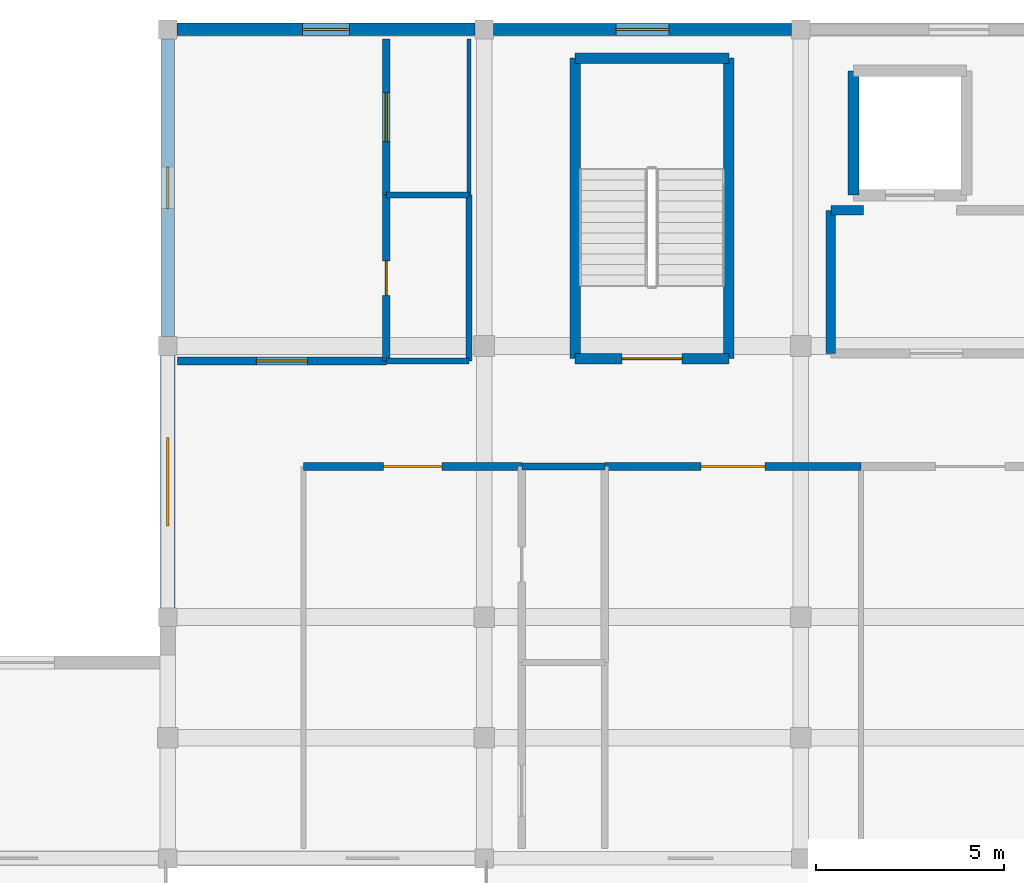
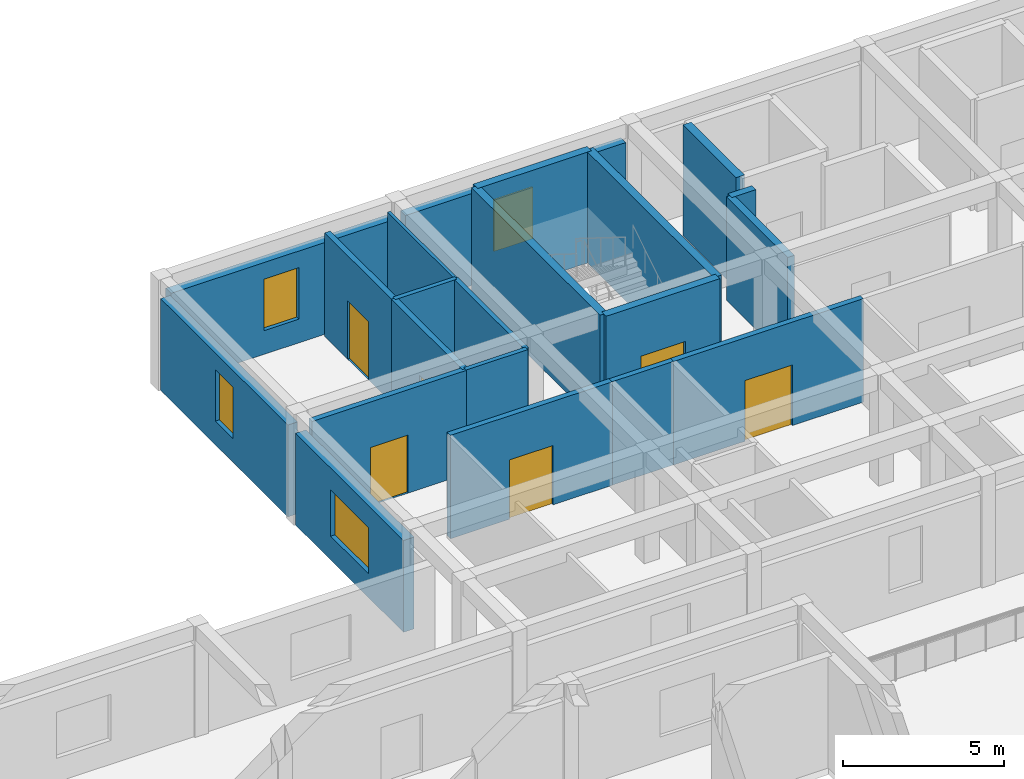
# One storey, part 14 of 28: 21 walls, 6 doors, 4 windows, 10 openings.
"""IFC4 building model written with IfcOpenShell, lengths in metres."""

from ifc_helpers import new_model, si_unit, direction, frame, frame_2d, origin, place, context, subcontext, project, spatial, rectangle, extrude, material, layer, layer_set, type_object, element, fill, save


model = new_model("IFC4")

# Units and contexts
model_context = context("Model", 3, precision=1e-05, world=origin(), true_north=direction((0.0, 1.0)))
body_context = subcontext(model_context, "Body", "Model", "MODEL_VIEW")
ifc_project = project(units=[si_unit("LENGTHUNIT", "METRE"), si_unit("AREAUNIT", "SQUARE_METRE"), si_unit("VOLUMEUNIT", "CUBIC_METRE"), si_unit("PLANEANGLEUNIT", "RADIAN"), si_unit("MASSUNIT", "GRAM", prefix="KILO")], contexts=[model_context])

# Site, building, storey
site_placement = place(None, origin())
site = spatial("IfcSite", under=ifc_project, at=site_placement, CompositionType="ELEMENT")
building_placement = place(site_placement, origin())
building = spatial("IfcBuilding", under=site, at=building_placement, Name="Varncliffe General Hospital", CompositionType="ELEMENT")
storey_placement = place(building_placement, frame((0.0, 0.0, 24.60009765625)))
storey = spatial("IfcBuildingStorey", under=building, at=storey_placement, Name="L05", CompositionType="ELEMENT", Elevation=24.60009765625)

# Wall, opening, window
ifc_material_1 = material(Name="Precast concrete C40/50 with insulated cream lime-cement stucco", Category="concrete")
ifc_layer_1 = layer(ifc_material_1, 0.31005859375)
ifc_layer_set_1 = layer_set([ifc_layer_1], Name="Precast concrete C40/50 with insulated cream lime-cement stucco")
wall_type_1 = type_object("IfcWallType", Name="Exterior Insulated Stucco Wall EW20 (310mm)", PredefinedType="SOLIDWALL", material=ifc_layer_set_1)
wall_1_placement = place(storey_placement, frame((117.847900390625, 124.800048828125, 0.0), z_axis=(0.0, 0.0, 1.0), x_axis=(1.0, 0.0, 0.0)))
wall_1 = element("IfcWall", 1, at=wall_1_placement, inside=storey, type_object=wall_type_1, Name="L05 Exterior Stucco Wall EW20-440", PredefinedType="SOLIDWALL", context=body_context, shape_type="SweptSolid", body=[
    extrude(rectangle(XDim=7.904052734375, YDim=0.31005859375, at=frame_2d((3.9521484375, 0.0))), origin(), (0.0, 0.0, 1.0), 3.47998046875),
])
opening_1_placement = place(wall_1_placement, frame((3.251953125, 0.0, 0.89990234375)))
opening_1 = element("IfcOpeningElement", 2, at=opening_1_placement, cuts=wall_1, Name="Opening WN22", PredefinedType="OPENING", context=body_context, shape_type="SweptSolid", body=[
    extrude(rectangle(XDim=1.39990234375, YDim=1.949951171875, at=frame_2d((0.699951171875, 0.97509765625))), frame((0.0, 0.1650390625, 0.0), z_axis=(0.0, -1.0, 0.0), x_axis=(1.0, 0.0, 0.0)), (0.0, 0.0, 1.0), 0.330078125),
])
ifc_material_2 = material(Name="Triple low-E argon insulated vision glazing", Category="glass")
window_type_1 = type_object("IfcWindowType", Name="Triple-Glazed Hospital Window WN22 (1400x1950)", PartitioningType="SINGLE_PANEL", PredefinedType="WINDOW", material=ifc_material_2)
window_1_placement = place(opening_1_placement, origin())
window_1 = element("IfcWindow", 3, at=window_1_placement, inside=storey, type_object=window_type_1, Name="L05 Hospital Window WN22-334", OverallHeight=1.949951171875, OverallWidth=1.39990234375, PartitioningType="SINGLE_PANEL", PredefinedType="WINDOW", context=body_context, shape_type="SweptSolid", body=[
    extrude(rectangle(XDim=1.39990234375, YDim=1.949951171875, at=frame_2d((0.699951171875, 0.97509765625))), frame((0.0, 0.030029296875, 0.0), z_axis=(0.0, -1.0, 0.0), x_axis=(1.0, 0.0, 0.0)), (0.0, 0.0, 1.0), 0.06005859375),
])
fill(opening_1, window_1)

ifc_layer_2 = layer(ifc_material_1, 0.3798828125)
ifc_layer_set_2 = layer_set([ifc_layer_2], Name="Precast concrete C40/50 with insulated cream lime-cement stucco")
wall_type_2 = type_object("IfcWallType", Name="Exterior Insulated Stucco Wall EW26 (380mm)", PredefinedType="SOLIDWALL", material=ifc_layer_set_2)
wall_2_placement = place(storey_placement, frame((109.199951171875, 109.447998046875, 0.0), z_axis=(0.0, 0.0, 1.0), x_axis=(0.0, 1.0, 0.0)))
wall_2 = element("IfcWall", 4, at=wall_2_placement, inside=storey, type_object=wall_type_2, Name="L05 Exterior Stucco Wall EW26-437", PredefinedType="SOLIDWALL", context=body_context, shape_type="SweptSolid", body=[
    extrude(rectangle(XDim=6.7041015625, YDim=0.3798828125, at=frame_2d((3.35205078125, 0.0))), origin(), (0.0, 0.0, 1.0), 3.47998046875),
])
opening_2_placement = place(wall_2_placement, frame((2.177001953125, 0.0, 0.89990234375)))
opening_2 = element("IfcOpeningElement", 5, at=opening_2_placement, cuts=wall_2, Name="Opening WN31", PredefinedType="OPENING", context=body_context, shape_type="SweptSolid", body=[
    extrude(rectangle(XDim=2.35009765625, YDim=1.75, at=frame_2d((1.175048828125, 0.875))), frame((0.0, 0.199951171875, 0.0), z_axis=(0.0, -1.0, 0.0), x_axis=(1.0, 0.0, 0.0)), (0.0, 0.0, 1.0), 0.39990234375),
])
window_type_2 = type_object("IfcWindowType", Name="Triple-Glazed Hospital Window WN31 (2350x1750)", PartitioningType="DOUBLE_PANEL_VERTICAL", PredefinedType="WINDOW", material=ifc_material_2)
window_2_placement = place(opening_2_placement, origin())
window_2 = element("IfcWindow", 6, at=window_2_placement, inside=storey, type_object=window_type_2, Name="L05 Hospital Window WN31-331", OverallHeight=1.75, OverallWidth=2.35009765625, PartitioningType="DOUBLE_PANEL_VERTICAL", PredefinedType="WINDOW", context=body_context, shape_type="SweptSolid", body=[
    extrude(rectangle(XDim=2.35009765625, YDim=1.75, at=frame_2d((1.175048828125, 0.875))), frame((0.0, 0.030029296875, 0.0), z_axis=(0.0, -1.0, 0.0), x_axis=(1.0, 0.0, 0.0)), (0.0, 0.0, 1.0), 0.06005859375),
])
fill(opening_2, window_2)

ifc_layer_3 = layer(ifc_material_1, 0.330078125)
ifc_layer_set_3 = layer_set([ifc_layer_3], Name="Precast concrete C40/50 with insulated cream lime-cement stucco")
wall_type_3 = type_object("IfcWallType", Name="Exterior Insulated Stucco Wall EW33 (330mm)", PredefinedType="SOLIDWALL", material=ifc_layer_set_3)
wall_3_placement = place(storey_placement, frame((109.447998046875, 124.800048828125, 0.0), z_axis=(0.0, 0.0, 1.0), x_axis=(1.0, 0.0, 0.0)))
wall_3 = element("IfcWall", 7, at=wall_3_placement, inside=storey, type_object=wall_type_3, Name="L05 Exterior Stucco Wall EW33-439", PredefinedType="SOLIDWALL", context=body_context, shape_type="SweptSolid", body=[
    extrude(rectangle(XDim=7.904052734375, YDim=0.330078125, at=frame_2d((3.9521484375, 0.0))), origin(), (0.0, 0.0, 1.0), 3.47998046875),
])
opening_3_placement = place(wall_3_placement, frame((3.326904296875, 0.0, 0.89990234375)))
opening_3 = element("IfcOpeningElement", 8, at=opening_3_placement, cuts=wall_3, Name="Opening WN49", PredefinedType="OPENING", context=body_context, shape_type="SweptSolid", body=[
    extrude(rectangle(XDim=1.25, YDim=1.949951171875, at=frame_2d((0.625, 0.97509765625))), frame((0.0, 0.175048828125, 0.0), z_axis=(0.0, -1.0, 0.0), x_axis=(1.0, 0.0, 0.0)), (0.0, 0.0, 1.0), 0.35009765625),
])
window_type_3 = type_object("IfcWindowType", Name="Triple-Glazed Hospital Window WN49 (1250x1950)", PartitioningType="SINGLE_PANEL", PredefinedType="WINDOW", material=ifc_material_2)
window_3_placement = place(opening_3_placement, origin())
window_3 = element("IfcWindow", 9, at=window_3_placement, inside=storey, type_object=window_type_3, Name="L05 Hospital Window WN49-333", OverallHeight=1.949951171875, OverallWidth=1.25, PartitioningType="SINGLE_PANEL", PredefinedType="WINDOW", context=body_context, shape_type="SweptSolid", body=[
    extrude(rectangle(XDim=1.25, YDim=1.949951171875, at=frame_2d((0.625, 0.97509765625))), frame((0.0, 0.030029296875, 0.0), z_axis=(0.0, -1.0, 0.0), x_axis=(1.0, 0.0, 0.0)), (0.0, 0.0, 1.0), 0.06005859375),
])
fill(opening_3, window_3)

ifc_layer_4 = layer(ifc_material_1, 0.35009765625)
ifc_layer_set_4 = layer_set([ifc_layer_4], Name="Precast concrete C40/50 with insulated cream lime-cement stucco")
wall_type_4 = type_object("IfcWallType", Name="Exterior Insulated Stucco Wall EW37 (350mm)", PredefinedType="SOLIDWALL", material=ifc_layer_set_4)
wall_4_placement = place(storey_placement, frame((109.199951171875, 116.64794921875, 0.0), z_axis=(0.0, 0.0, 1.0), x_axis=(0.0, 1.0, 0.0)))
wall_4 = element("IfcWall", 10, at=wall_4_placement, inside=storey, type_object=wall_type_4, Name="L05 Exterior Stucco Wall EW37-438", PredefinedType="SOLIDWALL", context=body_context, shape_type="SweptSolid", body=[
    extrude(rectangle(XDim=7.904052734375, YDim=0.35009765625, at=frame_2d((3.9521484375, 0.0))), origin(), (0.0, 0.0, 1.0), 3.47998046875),
])
opening_4_placement = place(wall_4_placement, frame((3.402099609375, 0.0, 0.89990234375)))
opening_4 = element("IfcOpeningElement", 11, at=opening_4_placement, cuts=wall_4, Name="Opening WN41", PredefinedType="OPENING", context=body_context, shape_type="SweptSolid", body=[
    extrude(rectangle(XDim=1.10009765625, YDim=1.949951171875, at=frame_2d((0.550048828125, 0.97509765625))), frame((0.0, 0.18505859375, 0.0), z_axis=(0.0, -1.0, 0.0), x_axis=(1.0, 0.0, 0.0)), (0.0, 0.0, 1.0), 0.3701171875),
])
window_type_4 = type_object("IfcWindowType", Name="Triple-Glazed Hospital Window WN41 (1100x1950)", PartitioningType="SINGLE_PANEL", PredefinedType="WINDOW", material=ifc_material_2)
window_4_placement = place(opening_4_placement, origin())
window_4 = element("IfcWindow", 12, at=window_4_placement, inside=storey, type_object=window_type_4, Name="L05 Hospital Window WN41-332", OverallHeight=1.949951171875, OverallWidth=1.10009765625, PartitioningType="SINGLE_PANEL", PredefinedType="WINDOW", context=body_context, shape_type="SweptSolid", body=[
    extrude(rectangle(XDim=1.10009765625, YDim=1.949951171875, at=frame_2d((0.550048828125, 0.97509765625))), frame((0.0, 0.030029296875, 0.0), z_axis=(0.0, -1.0, 0.0), x_axis=(1.0, 0.0, 0.0)), (0.0, 0.0, 1.0), 0.06005859375),
])
fill(opening_4, window_4)

# Walls
ifc_material_3 = material(Name="Acoustic clinical gypsum stud partition assembly", Category="gypsum")
ifc_layer_5 = layer(ifc_material_3, 0.110107421875)
ifc_layer_set_5 = layer_set([ifc_layer_5], Name="Acoustic clinical gypsum stud partition assembly")
wall_type_5 = type_object("IfcWallType", Name="Interior Partitioning IW65 (110mm)", PredefinedType="PARTITIONING", material=ifc_layer_set_5)
wall_5_placement = place(storey_placement, frame((117.199951171875, 120.39990234375, 0.0), z_axis=(0.0, 0.0, 1.0), x_axis=(0.0, 1.0, 0.0)))
element("IfcWall", 13, at=wall_5_placement, inside=storey, type_object=wall_type_5, Name="L05 Interior Partition Wall IW65-2142", PredefinedType="PARTITIONING", context=body_context, shape_type="SweptSolid", body=[
    extrude(rectangle(XDim=4.14013671875, YDim=0.110107421875, at=frame_2d((2.070068359375, 0.0))), origin(), (0.0, 0.0, 1.0), 3.919921875),
])
ifc_material_4 = material(Name="Fire-rated gypsum and mineral-wool partition assembly", Category="gypsum")
ifc_layer_6 = layer(ifc_material_4, 0.25)
ifc_layer_set_6 = layer_set([ifc_layer_6], Name="Fire-rated gypsum and mineral-wool partition assembly")
wall_type_6 = type_object("IfcWallType", Name="Interior Partitioning PW38 (250mm)", PredefinedType="PARTITIONING", material=ifc_layer_set_6)
wall_6_placement = place(storey_placement, frame((126.800048828125, 120.0, 0.0), z_axis=(0.0, 0.0, 1.0), x_axis=(1.0, 0.0, 0.0)))
element("IfcWall", 14, at=wall_6_placement, inside=storey, type_object=wall_type_6, Name="L05 Interior Partition Wall PW38-2090", PredefinedType="PARTITIONING", context=body_context, shape_type="SweptSolid", body=[
    extrude(rectangle(XDim=0.864013671875, YDim=0.25, at=frame_2d((0.43212890625, 0.0))), origin(), (0.0, 0.0, 1.0), 3.919921875),
])
wall_7_placement = place(storey_placement, frame((126.800048828125, 116.199951171875, 0.0), z_axis=(0.0, 0.0, 1.0), x_axis=(0.0, 1.0, 0.0)))
element("IfcWall", 15, at=wall_7_placement, inside=storey, type_object=wall_type_6, Name="L05 Interior Partition Wall PW38-2147", PredefinedType="PARTITIONING", context=body_context, shape_type="SweptSolid", body=[
    extrude(rectangle(XDim=3.800048828125, YDim=0.25, at=frame_2d((1.89990234375, 0.0))), origin(), (0.0, 0.0, 1.0), 3.919921875),
])

# Wall, opening, door
ifc_layer_7 = layer(ifc_material_4, 0.199951171875)
ifc_layer_set_7 = layer_set([ifc_layer_7], Name="Fire-rated gypsum and mineral-wool partition assembly")
wall_type_7 = type_object("IfcWallType", Name="Interior Partitioning PW63 (200mm)", PredefinedType="PARTITIONING", material=ifc_layer_set_7)
wall_8_placement = place(storey_placement, frame((112.800048828125, 113.199951171875, 0.0), z_axis=(0.0, 0.0, 1.0), x_axis=(1.0, 0.0, 0.0)))
wall_8 = element("IfcWall", 16, at=wall_8_placement, inside=storey, type_object=wall_type_7, Name="L05 Interior Partition Wall PW63-2059", PredefinedType="PARTITIONING", context=body_context, shape_type="SweptSolid", body=[
    extrude(rectangle(XDim=5.800048828125, YDim=0.199951171875, at=frame_2d((2.89990234375, 0.0))), origin(), (0.0, 0.0, 1.0), 3.919921875),
])
opening_5_placement = place(wall_8_placement, frame((2.125, 0.0, 0.0)))
opening_5 = element("IfcOpeningElement", 17, at=opening_5_placement, cuts=wall_8, Name="Opening DC67", PredefinedType="OPENING", context=body_context, shape_type="SweptSolid", body=[
    extrude(rectangle(XDim=1.550048828125, YDim=2.25, at=frame_2d((0.77490234375, 1.125))), frame((0.0, 0.10986328125, 0.0), z_axis=(0.0, -1.0, 0.0), x_axis=(1.0, 0.0, 0.0)), (0.0, 0.0, 1.0), 0.219970703125),
])
ifc_material_5 = material(Name="Fire-rated hospital steel-frame vision-panel door", Category="steel")
door_type_1 = type_object("IfcDoorType", Name="Interior Hospital Door DC67 (1550x2250)", OperationType="NOTDEFINED", PredefinedType="DOOR", material=ifc_material_5)
door_1_placement = place(opening_5_placement, frame((1.550048828125, 0.0, 0.0), z_axis=(0.0, 0.0, 1.0), x_axis=(-1.0, 0.0, 0.0)))
door_1 = element("IfcDoor", 18, at=door_1_placement, inside=storey, type_object=door_type_1, Name="L05 Maternity Birthing and Postpartum Suite 60 Door", OperationType="SINGLE_SWING_LEFT", OverallHeight=2.25, OverallWidth=1.550048828125, PredefinedType="DOOR", context=body_context, shape_type="SweptSolid", body=[
    extrude(rectangle(XDim=1.550048828125, YDim=2.25, at=frame_2d((0.77490234375, 1.125))), frame((0.0, 0.02490234375, 0.0), z_axis=(0.0, -1.0, 0.0), x_axis=(1.0, 0.0, 0.0)), (0.0, 0.0, 1.0), 0.050048828125),
])
fill(opening_5, door_1)

wall_9_placement = place(storey_placement, frame((120.800048828125, 113.199951171875, 0.0), z_axis=(0.0, 0.0, 1.0), x_axis=(1.0, 0.0, 0.0)))
wall_9 = element("IfcWall", 19, at=wall_9_placement, inside=storey, type_object=wall_type_7, Name="L05 Interior Partition Wall PW63-2061", PredefinedType="PARTITIONING", context=body_context, shape_type="SweptSolid", body=[
    extrude(rectangle(XDim=6.800048828125, YDim=0.199951171875, at=frame_2d((3.39990234375, 0.0))), origin(), (0.0, 0.0, 1.0), 3.919921875),
])
opening_6_placement = place(wall_9_placement, frame((2.550048828125, 0.0, 0.0)))
opening_6 = element("IfcOpeningElement", 20, at=opening_6_placement, cuts=wall_9, Name="Opening DC50", PredefinedType="OPENING", context=body_context, shape_type="SweptSolid", body=[
    extrude(rectangle(XDim=1.699951171875, YDim=2.300048828125, at=frame_2d((0.85009765625, 1.14990234375))), frame((0.0, 0.10986328125, 0.0), z_axis=(0.0, -1.0, 0.0), x_axis=(1.0, 0.0, 0.0)), (0.0, 0.0, 1.0), 0.219970703125),
])
door_type_2 = type_object("IfcDoorType", Name="Interior Hospital Door DC50 (1700x2300)", OperationType="NOTDEFINED", PredefinedType="DOOR", material=ifc_material_5)
door_2_placement = place(opening_6_placement, frame((1.699951171875, 0.0, 0.0), z_axis=(0.0, 0.0, 1.0), x_axis=(-1.0, 0.0, 0.0)))
door_2 = element("IfcDoor", 21, at=door_2_placement, inside=storey, type_object=door_type_2, Name="L05 Family Waiting Lounge and Terrace Vestibule 63 Door", OperationType="SINGLE_SWING_RIGHT", OverallHeight=2.300048828125, OverallWidth=1.699951171875, PredefinedType="DOOR", context=body_context, shape_type="SweptSolid", body=[
    extrude(rectangle(XDim=1.699951171875, YDim=2.300048828125, at=frame_2d((0.85009765625, 1.14990234375))), frame((0.0, 0.02490234375, 0.0), z_axis=(0.0, -1.0, 0.0), x_axis=(1.0, 0.0, 0.0)), (0.0, 0.0, 1.0), 0.050048828125),
])
fill(opening_6, door_2)

wall_10_placement = place(storey_placement, frame((109.4599609375, 116.0, 0.0), z_axis=(0.0, 0.0, 1.0), x_axis=(1.0, 0.0, 0.0)))
wall_10 = element("IfcWall", 22, at=wall_10_placement, inside=storey, type_object=wall_type_7, Name="L05 Interior Partition Wall PW63-2076", PredefinedType="PARTITIONING", context=body_context, shape_type="SweptSolid", body=[
    extrude(rectangle(XDim=5.5400390625, YDim=0.199951171875, at=frame_2d((2.77001953125, 0.0))), origin(), (0.0, 0.0, 1.0), 3.919921875),
])
opening_7_placement = place(wall_10_placement, frame((2.094970703125, 0.0, 0.0)))
opening_7 = element("IfcOpeningElement", 23, at=opening_7_placement, cuts=wall_10, Name="Opening DC85", PredefinedType="OPENING", context=body_context, shape_type="SweptSolid", body=[
    extrude(rectangle(XDim=1.35009765625, YDim=2.199951171875, at=frame_2d((0.675048828125, 1.10009765625))), frame((0.0, 0.10986328125, 0.0), z_axis=(0.0, -1.0, 0.0), x_axis=(1.0, 0.0, 0.0)), (0.0, 0.0, 1.0), 0.219970703125),
])
door_type_3 = type_object("IfcDoorType", Name="Interior Hospital Door DC85 (1350x2200)", OperationType="NOTDEFINED", PredefinedType="DOOR", material=ifc_material_5)
door_3_placement = place(opening_7_placement, origin())
door_3 = element("IfcDoor", 24, at=door_3_placement, inside=storey, type_object=door_type_3, Name="L05 Maternity Birthing and Postpartum Suite 80 Door", OperationType="SINGLE_SWING_LEFT", OverallHeight=2.199951171875, OverallWidth=1.35009765625, PredefinedType="DOOR", context=body_context, shape_type="SweptSolid", body=[
    extrude(rectangle(XDim=1.35009765625, YDim=2.199951171875, at=frame_2d((0.675048828125, 1.10009765625))), frame((0.0, 0.02490234375, 0.0), z_axis=(0.0, -1.0, 0.0), x_axis=(1.0, 0.0, 0.0)), (0.0, 0.0, 1.0), 0.050048828125),
])
fill(opening_7, door_3)

wall_11_placement = place(storey_placement, frame((115.0, 116.0, 0.0), z_axis=(0.0, 0.0, 1.0), x_axis=(0.0, 1.0, 0.0)))
wall_11 = element("IfcWall", 25, at=wall_11_placement, inside=storey, type_object=wall_type_7, Name="L05 Interior Partition Wall PW63-2139", PredefinedType="PARTITIONING", context=body_context, shape_type="SweptSolid", body=[
    extrude(rectangle(XDim=4.39990234375, YDim=0.199951171875, at=frame_2d((2.199951171875, 0.0))), origin(), (0.0, 0.0, 1.0), 3.919921875),
])
opening_8_placement = place(wall_11_placement, frame((1.739990234375, 0.0, 0.0)))
opening_8 = element("IfcOpeningElement", 26, at=opening_8_placement, cuts=wall_11, Name="Opening DI70", PredefinedType="OPENING", context=body_context, shape_type="SweptSolid", body=[
    extrude(rectangle(XDim=0.919921875, YDim=2.10009765625, at=frame_2d((0.4599609375, 1.050048828125))), frame((0.0, 0.10986328125, 0.0), z_axis=(0.0, -1.0, 0.0), x_axis=(1.0, 0.0, 0.0)), (0.0, 0.0, 1.0), 0.219970703125),
])
ifc_material_6 = material(Name="Solid-core antimicrobial hospital oak veneer door", Category="wood")
door_type_4 = type_object("IfcDoorType", Name="Interior Hospital Door DI70 (920x2100)", OperationType="NOTDEFINED", PredefinedType="DOOR", material=ifc_material_6)
door_4_placement = place(opening_8_placement, frame((0.919921875, 0.0, 0.0), z_axis=(0.0, 0.0, 1.0), x_axis=(-1.0, 0.0, 0.0)))
door_4 = element("IfcDoor", 27, at=door_4_placement, inside=storey, type_object=door_type_4, Name="L05 En-Suite Bathroom 81 Door", OperationType="SINGLE_SWING_LEFT", OverallHeight=2.10009765625, OverallWidth=0.919921875, PredefinedType="DOOR", context=body_context, shape_type="SweptSolid", body=[
    extrude(rectangle(XDim=0.919921875, YDim=2.10009765625, at=frame_2d((0.4599609375, 1.050048828125))), frame((0.0, 0.02490234375, 0.0), z_axis=(0.0, -1.0, 0.0), x_axis=(1.0, 0.0, 0.0)), (0.0, 0.0, 1.0), 0.050048828125),
])
fill(opening_8, door_4)

wall_12_placement = place(storey_placement, frame((115.0, 120.39990234375, 0.0), z_axis=(0.0, 0.0, 1.0), x_axis=(0.0, 1.0, 0.0)))
wall_12 = element("IfcWall", 28, at=wall_12_placement, inside=storey, type_object=wall_type_7, Name="L05 Interior Partition Wall PW63-2140", PredefinedType="PARTITIONING", context=body_context, shape_type="SweptSolid", body=[
    extrude(rectangle(XDim=4.14013671875, YDim=0.199951171875, at=frame_2d((2.070068359375, 0.0))), origin(), (0.0, 0.0, 1.0), 3.919921875),
])
opening_9_placement = place(wall_12_placement, frame((1.419921875, 0.0, 0.0)))
opening_9 = element("IfcOpeningElement", 29, at=opening_9_placement, cuts=wall_12, Name="Opening DC88", PredefinedType="OPENING", context=body_context, shape_type="SweptSolid", body=[
    extrude(rectangle(XDim=1.300048828125, YDim=2.199951171875, at=frame_2d((0.64990234375, 1.10009765625))), frame((0.0, 0.10986328125, 0.0), z_axis=(0.0, -1.0, 0.0), x_axis=(1.0, 0.0, 0.0)), (0.0, 0.0, 1.0), 0.219970703125),
])
door_type_5 = type_object("IfcDoorType", Name="Interior Hospital Door DC88 (1300x2200)", OperationType="NOTDEFINED", PredefinedType="DOOR", material=ifc_material_5)
door_5_placement = place(opening_9_placement, frame((1.300048828125, 0.0, 0.0), z_axis=(0.0, 0.0, 1.0), x_axis=(-1.0, 0.0, 0.0)))
door_5 = element("IfcDoor", 30, at=door_5_placement, inside=storey, type_object=door_type_5, Name="L05 Patient Medication and Hygiene Bay 82 Door", OperationType="SINGLE_SWING_RIGHT", OverallHeight=2.199951171875, OverallWidth=1.300048828125, PredefinedType="DOOR", context=body_context, shape_type="SweptSolid", body=[
    extrude(rectangle(XDim=1.300048828125, YDim=2.199951171875, at=frame_2d((0.64990234375, 1.10009765625))), frame((0.0, 0.02490234375, 0.0), z_axis=(0.0, -1.0, 0.0), x_axis=(1.0, 0.0, 0.0)), (0.0, 0.0, 1.0), 0.050048828125),
])
fill(opening_9, door_5)

# Walls
ifc_material_7 = material(Name="Moisture-resistant plumbing chase wall assembly", Category="gypsum")
ifc_layer_8 = layer(ifc_material_7, 0.18994140625)
ifc_layer_set_8 = layer_set([ifc_layer_8], Name="Moisture-resistant plumbing chase wall assembly")
wall_type_8 = type_object("IfcWallType", Name="Interior Plumbingwall MW17 (190mm)", PredefinedType="PLUMBINGWALL", material=ifc_layer_set_8)
wall_13_placement = place(storey_placement, frame((118.60009765625, 113.199951171875, 0.0), z_axis=(0.0, 0.0, 1.0), x_axis=(1.0, 0.0, 0.0)))
element("IfcWall", 31, at=wall_13_placement, inside=storey, type_object=wall_type_8, Name="L05 Interior Plumbing Wall MW17-2060", PredefinedType="PLUMBINGWALL", context=body_context, shape_type="SweptSolid", body=[
    extrude(rectangle(XDim=2.199951171875, YDim=0.18994140625, at=frame_2d((1.10009765625, 0.0))), origin(), (0.0, 0.0, 1.0), 3.919921875),
])
ifc_layer_9 = layer(ifc_material_7, 0.159912109375)
ifc_layer_set_9 = layer_set([ifc_layer_9], Name="Moisture-resistant plumbing chase wall assembly")
wall_type_9 = type_object("IfcWallType", Name="Interior Plumbingwall MW31 (160mm)", PredefinedType="PLUMBINGWALL", material=ifc_layer_set_9)
for number, where, z_axis, x_axis, name in (
    (32, (115.0, 116.0, 0.0), (0.0, 0.0, 1.0), (1.0, 0.0, 0.0), "L05 Interior Plumbing Wall MW31-2077"),
    (33, (115.0, 120.39990234375, 0.0), (0.0, 0.0, 1.0), (1.0, 0.0, 0.0), "L05 Interior Plumbing Wall MW31-2097"),
):
    element("IfcWall", number, at=place(storey_placement, frame(where, z_axis=z_axis, x_axis=x_axis)), inside=storey, type_object=wall_type_9, Name=name, PredefinedType="PLUMBINGWALL", context=body_context, shape_type="SweptSolid", body=[
        extrude(rectangle(XDim=2.199951171875, YDim=0.159912109375, at=frame_2d((1.10009765625, 0.0))), origin(), (0.0, 0.0, 1.0), 3.919921875),
    ])
wall_14_placement = place(storey_placement, frame((117.199951171875, 116.0, 0.0), z_axis=(0.0, 0.0, 1.0), x_axis=(0.0, 1.0, 0.0)))
element("IfcWall", 34, at=wall_14_placement, inside=storey, type_object=wall_type_9, Name="L05 Interior Plumbing Wall MW31-2141", PredefinedType="PLUMBINGWALL", context=body_context, shape_type="SweptSolid", body=[
    extrude(rectangle(XDim=4.39990234375, YDim=0.159912109375, at=frame_2d((2.199951171875, 0.0))), origin(), (0.0, 0.0, 1.0), 3.919921875),
])
ifc_material_8 = material(Name="Concrete C40/50 (CSA A23.1 40 MPa)", Category="concrete")
ifc_layer_10 = layer(ifc_material_8, 0.300048828125)
ifc_layer_set_10 = layer_set([ifc_layer_10], Name="Concrete C40/50 (CSA A23.1 40 MPa)")
wall_type_10 = type_object("IfcWallType", Name="Reinforced Concrete Core Shear Wall CW12 (300mm)", PredefinedType="SHEAR", material=ifc_layer_set_10)
wall_15_placement = place(storey_placement, frame((127.39990234375, 123.699951171875, 0.0), z_axis=(0.0, 0.0, 1.0), x_axis=(0.0, -1.0, 0.0)))
element("IfcWall", 35, at=wall_15_placement, inside=storey, type_object=wall_type_10, Name="L05 LF03 Elevator Shaft Wall West", PredefinedType="SHEAR", context=body_context, shape_type="SweptSolid", body=[
    extrude(rectangle(XDim=3.300048828125, YDim=0.300048828125, at=frame_2d((1.64990234375, 0.0))), origin(), (0.0, 0.0, 1.0), 4.199951171875),
])
ifc_layer_11 = layer(ifc_material_8, 0.280029296875)
ifc_layer_set_11 = layer_set([ifc_layer_11], Name="Concrete C40/50 (CSA A23.1 40 MPa)")
wall_type_11 = type_object("IfcWallType", Name="Reinforced Concrete Core Shear Wall CW13 (280mm)", PredefinedType="SHEAR", material=ifc_layer_set_11)
wall_16_placement = place(storey_placement, frame((124.090087890625, 116.06005859375, 0.0), z_axis=(0.0, 0.0, 1.0), x_axis=(0.0, 1.0, 0.0)))
element("IfcWall", 36, at=wall_16_placement, inside=storey, type_object=wall_type_11, Name="L05 ST03 Core Shear Wall L", PredefinedType="SHEAR", context=body_context, shape_type="SweptSolid", body=[
    extrude(rectangle(XDim=7.97998046875, YDim=0.280029296875, at=frame_2d((3.989990234375, 0.0))), origin(), (0.0, 0.0, 1.0), 4.199951171875),
])
wall_17_placement = place(storey_placement, frame((124.090087890625, 124.0400390625, 0.0), z_axis=(0.0, 0.0, 1.0), x_axis=(-1.0, 0.0, 0.0)))
element("IfcWall", 37, at=wall_17_placement, inside=storey, type_object=wall_type_11, Name="L05 ST03 Core Shear Wall F", PredefinedType="SHEAR", context=body_context, shape_type="SweptSolid", body=[
    extrude(rectangle(XDim=4.080078125, YDim=0.280029296875, at=frame_2d((2.0400390625, 0.0))), origin(), (0.0, 0.0, 1.0), 4.199951171875),
])
wall_18_placement = place(storey_placement, frame((120.010009765625, 124.0400390625, 0.0), z_axis=(0.0, 0.0, 1.0), x_axis=(0.0, -1.0, 0.0)))
element("IfcWall", 38, at=wall_18_placement, inside=storey, type_object=wall_type_11, Name="L05 ST03 Core Shear Wall R", PredefinedType="SHEAR", context=body_context, shape_type="SweptSolid", body=[
    extrude(rectangle(XDim=7.97998046875, YDim=0.280029296875, at=frame_2d((3.989990234375, 0.0))), origin(), (0.0, 0.0, 1.0), 4.199951171875),
])

# Wall, opening, door
wall_19_placement = place(storey_placement, frame((120.010009765625, 116.06005859375, 0.0), z_axis=(0.0, 0.0, 1.0), x_axis=(1.0, 0.0, 0.0)))
wall_19 = element("IfcWall", 39, at=wall_19_placement, inside=storey, type_object=wall_type_11, Name="L05 ST03 Core Shear Wall N", PredefinedType="SHEAR", context=body_context, shape_type="SweptSolid", body=[
    extrude(rectangle(XDim=4.080078125, YDim=0.280029296875, at=frame_2d((2.0400390625, 0.0))), origin(), (0.0, 0.0, 1.0), 4.199951171875),
])
opening_10_placement = place(wall_19_placement, frame((1.239990234375, 0.0, 0.0)))
opening_10 = element("IfcOpeningElement", 40, at=opening_10_placement, cuts=wall_19, Name="Opening DF27", PredefinedType="OPENING", context=body_context, shape_type="SweptSolid", body=[
    extrude(rectangle(XDim=1.60009765625, YDim=2.25, at=frame_2d((0.800048828125, 1.125))), frame((0.0, 0.14990234375, 0.0), z_axis=(0.0, -1.0, 0.0), x_axis=(1.0, 0.0, 0.0)), (0.0, 0.0, 1.0), 0.300048828125),
])
door_type_6 = type_object("IfcDoorType", Name="Interior Hospital Door DF27 (1600x2250)", OperationType="NOTDEFINED", PredefinedType="DOOR", material=ifc_material_5)
door_6_placement = place(opening_10_placement, frame((1.60009765625, 0.0, 0.0), z_axis=(0.0, 0.0, 1.0), x_axis=(-1.0, 0.0, 0.0)))
door_6 = element("IfcDoor", 41, at=door_6_placement, inside=storey, type_object=door_type_6, Name="L05 ST03 Protected Exit Stair Door", OperationType="SINGLE_SWING_LEFT", OverallHeight=2.25, OverallWidth=1.60009765625, PredefinedType="DOOR", context=body_context, shape_type="SweptSolid", body=[
    extrude(rectangle(XDim=1.60009765625, YDim=2.25, at=frame_2d((0.800048828125, 1.125))), frame((0.0, 0.02490234375, 0.0), z_axis=(0.0, -1.0, 0.0), x_axis=(1.0, 0.0, 0.0)), (0.0, 0.0, 1.0), 0.050048828125),
])
fill(opening_10, door_6)

save(model, "model.ifc")
